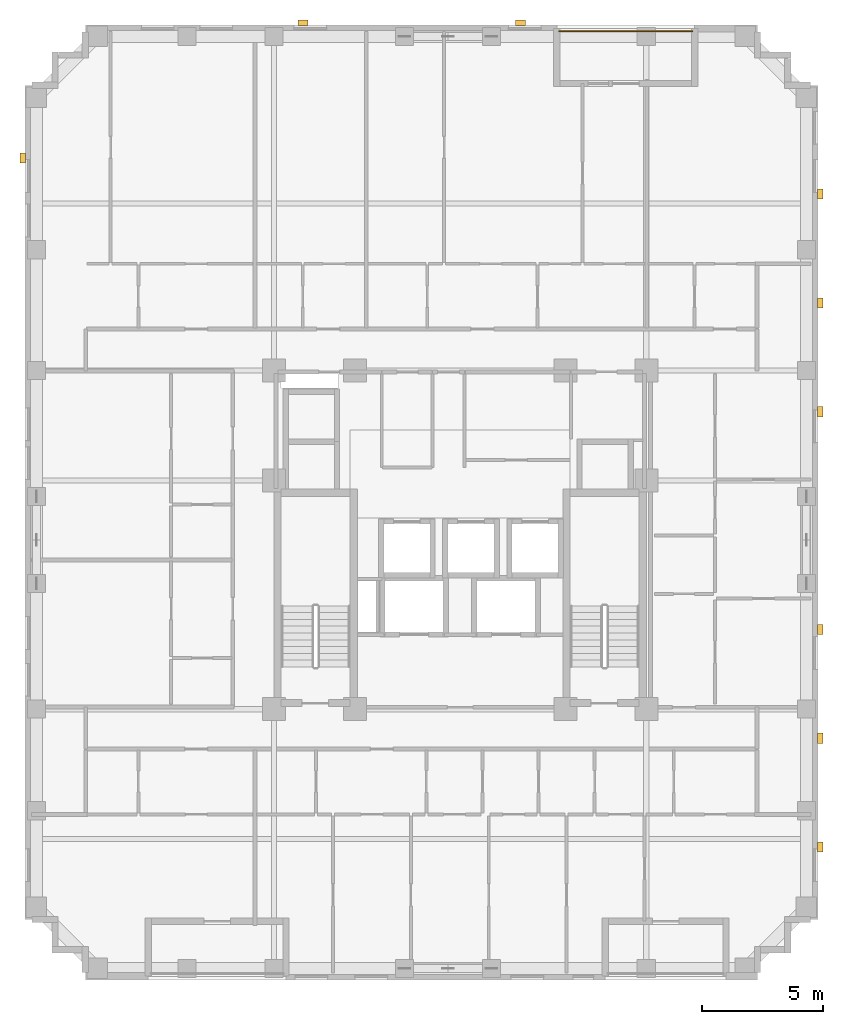
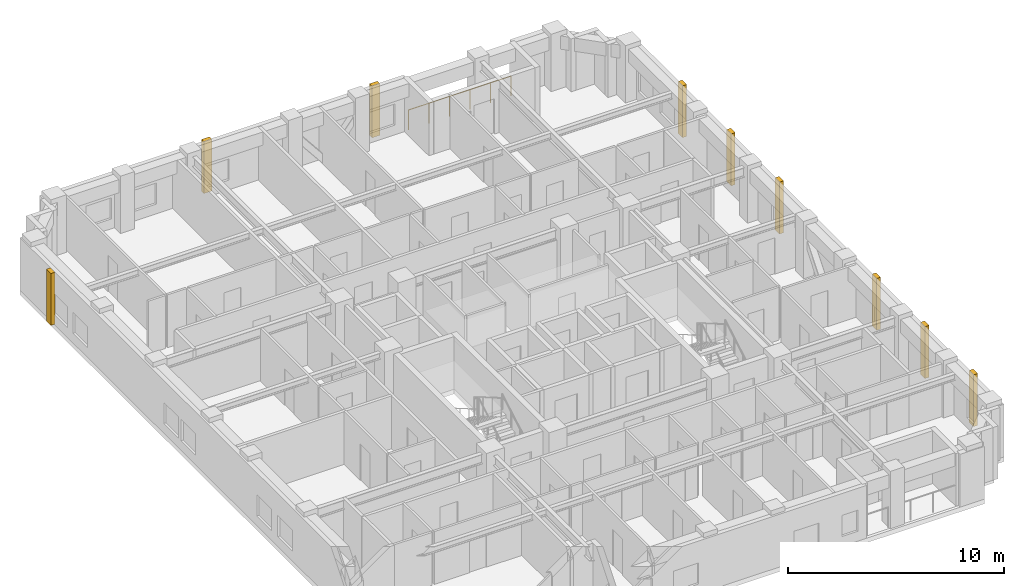
# One storey, part 11 of 11: 9 coverings, 1 railing.
"""IFC4 building model written with IfcOpenShell, lengths in metres."""

from ifc_helpers import new_model, si_unit, derived_unit, direction, frame, origin, origin_2d, place, context, subcontext, project, spatial, rectangle, circle, extrude, material, layer, layer_set, type_object, element, save


model = new_model("IFC4")

# Units and contexts
model_context = context("Model", 3, precision=1e-05, world=origin(), true_north=direction((0.0, 1.0)))
body_context = subcontext(model_context, "Body", "Model", "MODEL_VIEW")
ifc_project = project(units=[si_unit("LENGTHUNIT", "METRE"), si_unit("AREAUNIT", "SQUARE_METRE"), si_unit("VOLUMEUNIT", "CUBIC_METRE"), si_unit("PLANEANGLEUNIT", "RADIAN"), si_unit("MASSUNIT", "GRAM", prefix="KILO"), derived_unit("THERMALTRANSMITTANCEUNIT", [(si_unit("MASSUNIT", "GRAM", prefix="KILO"), 1), (si_unit("TIMEUNIT", "SECOND"), -3), (si_unit("THERMODYNAMICTEMPERATUREUNIT", "KELVIN"), -1)])], contexts=[model_context])

# Site, building, storey
site_placement = place(None, origin())
site = spatial("IfcSite", under=ifc_project, at=site_placement, CompositionType="ELEMENT")
building_placement = place(site_placement, origin())
building = spatial("IfcBuilding", under=site, at=building_placement, Name="Korrvale Station Residences", CompositionType="ELEMENT")
storey_placement = place(building_placement, frame((0.0, 0.0, 143.89990234375)))
storey = spatial("IfcBuildingStorey", under=building, at=storey_placement, Name="L41", CompositionType="ELEMENT", Elevation=143.89990234375)

# Coverings
ifc_material_1 = material(Name="Architectural precast concrete C45/55", Category="concrete")
ifc_layer = layer(ifc_material_1, 0.219970703125, Name="Architectural precast concrete C45/55")
ifc_layer_set = layer_set([ifc_layer], Name="Architectural precast concrete C45/55")
covering_type = type_object("IfcCoveringType", Name="COV-PIER-400", PredefinedType="CLADDING", material=ifc_layer_set)
for number, where, z_axis, x_axis, name in (
    (1, (19.0, 43.389892578125, 0.025146484375), (0.0, 0.0, 1.0), (1.0, 0.0, 0.0), "L41 Architectural Precast Facade Pier 01"),
    (2, (28.0, 43.389892578125, 0.025146484375), (0.0, 0.0, 1.0), (1.0, 0.0, 0.0), "L41 Architectural Precast Facade Pier 02"),
    (3, (7.409912109375, 37.800048828125, 0.025146484375), (0.0, 0.0, 1.0), (0.0, 1.0, 0.0), "L41 Architectural Precast Facade Pier 03"),
    (4, (40.389892578125, 36.300048828125, 0.025146484375), (0.0, 0.0, 1.0), (0.0, 1.0, 0.0), "L41 Architectural Precast Facade Pier 04"),
    (5, (40.389892578125, 31.800048828125, 0.025146484375), (0.0, 0.0, 1.0), (0.0, 1.0, 0.0), "L41 Architectural Precast Facade Pier 05"),
    (6, (40.389892578125, 27.300048828125, 0.025146484375), (0.0, 0.0, 1.0), (0.0, 1.0, 0.0), "L41 Architectural Precast Facade Pier 06"),
    (7, (40.389892578125, 18.300048828125, 0.025146484375), (0.0, 0.0, 1.0), (0.0, 1.0, 0.0), "L41 Architectural Precast Facade Pier 07"),
    (8, (40.389892578125, 13.800048828125, 0.025146484375), (0.0, 0.0, 1.0), (0.0, 1.0, 0.0), "L41 Architectural Precast Facade Pier 08"),
    (9, (40.389892578125, 9.300048828125, 0.025146484375), (0.0, 0.0, 1.0), (0.0, 1.0, 0.0), "L41 Architectural Precast Facade Pier 09"),
):
    element("IfcCovering", number, at=place(storey_placement, frame(where, z_axis=z_axis, x_axis=x_axis)), inside=storey, type_object=covering_type, Name=name, PredefinedType="CLADDING", context=body_context, shape_type="SweptSolid", body=[
        extrude(rectangle(XDim=0.419921875, YDim=0.219970703125, at=origin_2d()), origin(), (0.0, 0.0, 1.0), 2.93994140625),
    ])

# Railing
ifc_material_2 = material(Name="Powder-coated aluminium picket loggia guard", Category="aluminium")
railing_type = type_object("IfcRailingType", Name="RLG-BAL-1150", PredefinedType="GUARDRAIL", material=ifc_material_2)
railing_placement = place(storey_placement, frame((29.60009765625, 43.030029296875, 0.0)))
element("IfcRailing", 10, at=railing_placement, inside=storey, type_object=railing_type, Name="L41 Recessed Loggia Guardrail BAL-L41-N1", PredefinedType="GUARDRAIL", context=body_context, shape_type="SweptSolid", body=[
    extrude(circle(Radius=0.02392578125, at=origin_2d()), frame((0.0, 0.0, 1.1259765625), z_axis=(1.0, 0.0, 0.0), x_axis=(0.0, 1.0, 0.0)), (0.0, 0.0, 1.0), 5.5),
    extrude(circle(Radius=0.02099609375, at=origin_2d()), origin(), (0.0, 0.0, 1.0), 1.101806640625),
    extrude(circle(Radius=0.02099609375, at=origin_2d()), frame((1.10009765625, 0.0, 0.0)), (0.0, 0.0, 1.0), 1.101806640625),
    extrude(circle(Radius=0.02099609375, at=origin_2d()), frame((2.199951171875, 0.0, 0.0)), (0.0, 0.0, 1.0), 1.101806640625),
    extrude(circle(Radius=0.02099609375, at=origin_2d()), frame((3.300048828125, 0.0, 0.0)), (0.0, 0.0, 1.0), 1.101806640625),
    extrude(circle(Radius=0.02099609375, at=origin_2d()), frame((4.39990234375, 0.0, 0.0)), (0.0, 0.0, 1.0), 1.101806640625),
    extrude(circle(Radius=0.02099609375, at=origin_2d()), frame((5.5, 0.0, 0.0)), (0.0, 0.0, 1.0), 1.101806640625),
])

save(model, "model.ifc")
